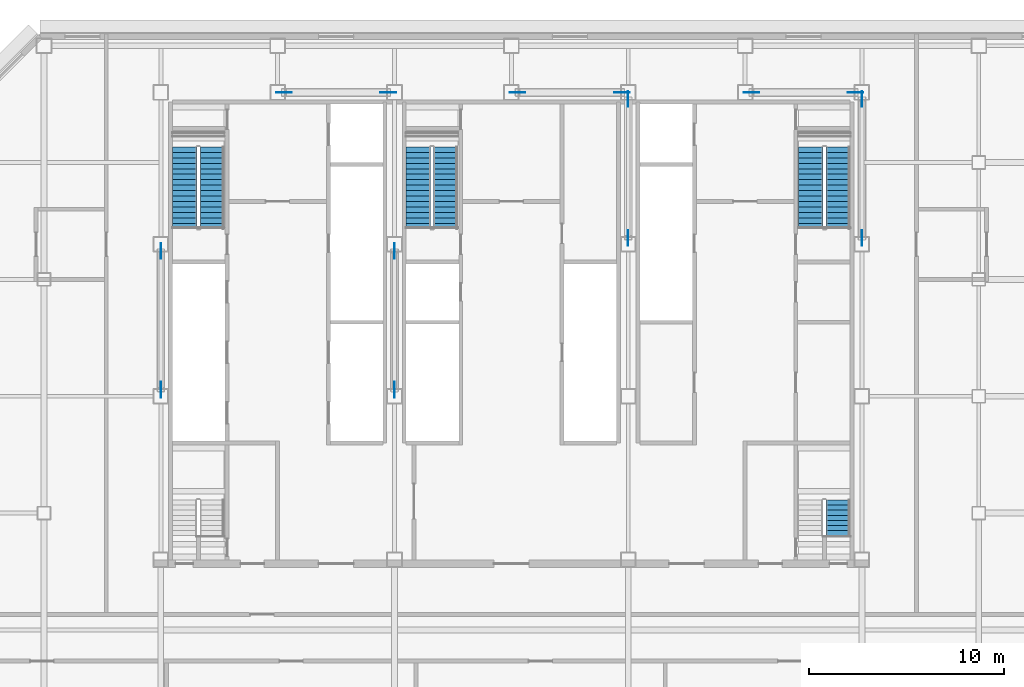
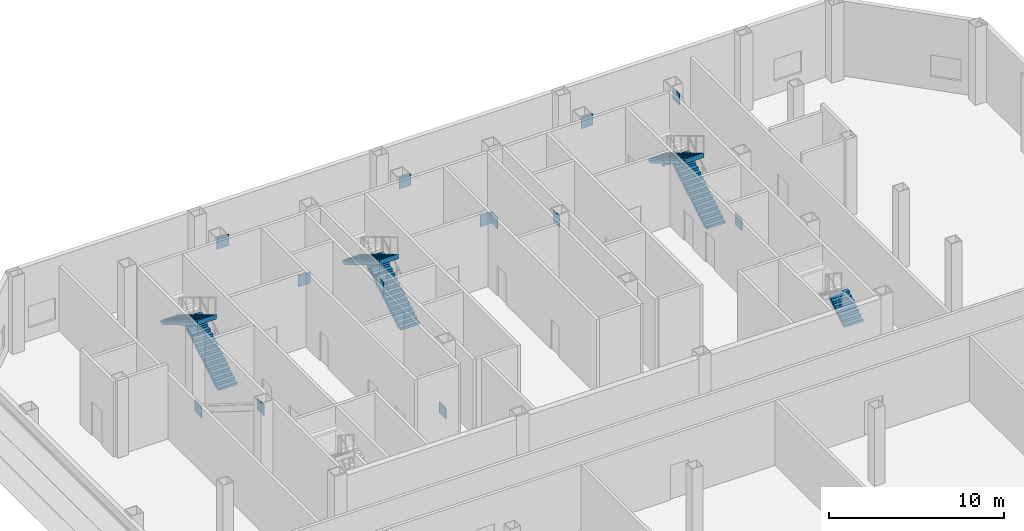
# One storey, part 8 of 10: 14 discrete accessories, 7 stair flights, 4 elements without a shape of their own.
"""IFC4 building model written with IfcOpenShell, lengths in metres."""

import ifcopenshell
import ifcopenshell.guid

model = None  # the IFC model being written
_history = None  # IfcOwnerHistory: only IFC2X3 demands one
_inside = {}  # id of a spatial element -> (the spatial element, [elements in it])
_under = {}  # id of a project, library or spatial element -> (it, [spatial elements below it])
_declared = {}  # id of a project -> (the project, [libraries it declares])
_typed = {}  # id of a type object -> (the type object, [elements of that type])
_made_of = {}  # id of a material, layer set ... -> (it, [elements and type objects made of it])


def new_model(schema):
    """Start an empty IFC model of exactly this schema.

    Asked for "IFC4X3", IfcOpenShell would pick the latest addendum, in which some entities
    have other attributes; the version numbers below select the first issue.
    IFC2X3 requires an IfcOwnerHistory on every rooted entity: one is made here for all.
    """
    global model, _history
    if schema == "IFC4X3":
        model = ifcopenshell.file(schema_version=(4, 3, 0, 0))
    else:
        model = ifcopenshell.file(schema=schema)
    _inside.clear()
    _under.clear()
    _declared.clear()
    _typed.clear()
    _made_of.clear()
    _history = None
    if model.schema == "IFC2X3":
        org = make("IfcOrganization", Name="unknown")
        user = make(
            "IfcPersonAndOrganization",
            ThePerson=make("IfcPerson", FamilyName="unknown"),
            TheOrganization=org,
        )
        app = make(
            "IfcApplication",
            ApplicationDeveloper=org,
            Version="unknown",
            ApplicationFullName="unknown",
            ApplicationIdentifier="unknown",
        )
        _history = make(
            "IfcOwnerHistory",
            OwningUser=user,
            OwningApplication=app,
            ChangeAction="ADDED",
            CreationDate=0,
        )
    return model


def make(cls, **values):
    """One entity of the class cls with the attributes given. An attribute that is None is left unset."""
    return model.create_entity(
        cls, **{name: value for name, value in values.items() if value is not None}
    )


def rooted(cls, **values):
    """An entity with a GlobalId (a new one), such as an element, a storey or a relation."""
    return make(cls, GlobalId=ifcopenshell.guid.new(), OwnerHistory=_history, **values)


def si_unit(unit_type, name, prefix=None):
    """IfcSIUnit, for example si_unit("LENGTHUNIT", "METRE", prefix="MILLI")."""
    return make("IfcSIUnit", UnitType=unit_type, Prefix=prefix, Name=name)


def assignment(units):
    """IfcUnitAssignment: the units of a project."""
    return None if units is None else make("IfcUnitAssignment", Units=units)


def point(xyz):
    """IfcCartesianPoint."""
    return None if xyz is None else make("IfcCartesianPoint", Coordinates=xyz)


def direction(xyz):
    """IfcDirection."""
    return None if xyz is None else make("IfcDirection", DirectionRatios=xyz)


def frame(location, z_axis=None, x_axis=None):
    """IfcAxis2Placement3D, a coordinate frame: its origin and axes. An axis left out is left unset."""
    return make(
        "IfcAxis2Placement3D",
        Location=point(location),
        Axis=direction(z_axis),
        RefDirection=direction(x_axis),
    )


def frame_2d(location, x_axis=None):
    """IfcAxis2Placement2D, a coordinate frame in the plane: its origin and x axis."""
    return make(
        "IfcAxis2Placement2D", Location=point(location), RefDirection=direction(x_axis)
    )


def origin():
    """The frame at (0, 0, 0) with its axes left unset."""
    return frame((0.0, 0.0, 0.0))


def origin_2d():
    """The frame at (0, 0) in the plane with its x axis left unset."""
    return frame_2d((0.0, 0.0))


def place(relative_to, where):
    """IfcLocalPlacement: puts the frame where relative to a parent placement (None: the world)."""
    return make(
        "IfcLocalPlacement", PlacementRelTo=relative_to, RelativePlacement=where
    )


def context(
    kind, dimensions, precision=None, world=None, true_north=None, identifier=None
):
    """IfcGeometricRepresentationContext, for example the 3D "Model" context."""
    return make(
        "IfcGeometricRepresentationContext",
        ContextIdentifier=identifier,
        ContextType=kind,
        CoordinateSpaceDimension=dimensions,
        Precision=precision,
        WorldCoordinateSystem=world,
        TrueNorth=true_north,
    )


def subcontext(parent, identifier, kind, view, scale=None):
    """IfcGeometricRepresentationSubContext, for example "Body" below "Model"."""
    return make(
        "IfcGeometricRepresentationSubContext",
        ContextIdentifier=identifier,
        ContextType=kind,
        ParentContext=parent,
        TargetScale=scale,
        TargetView=view,
    )


def project(units=None, contexts=None):
    """IfcProject with its units and contexts."""
    return rooted(
        "IfcProject",
        Name="project",
        RepresentationContexts=contexts,
        UnitsInContext=assignment(units),
    )


def spatial(cls, under=None, at=None, **own):
    """A site, building, storey or space (cls), placed at a placement, below another one or the project."""
    s = rooted(cls, ObjectPlacement=at, **own)
    if under is not None:
        _under.setdefault(under.id(), (under, []))[1].append(s)
    return s


def polyline(points):
    """IfcPolyline through the points."""
    return make("IfcPolyline", Points=[point(p) for p in points])


def profile(cls, at=None, kind="AREA", **sizes):
    """A parametric profile (cls). Its sizes go by their IFC names, for example OverallWidth=200.0."""
    return make(cls, ProfileType=kind, Position=at, **sizes)


def rectangle(**sizes):
    """IfcRectangleProfileDef."""
    return profile("IfcRectangleProfileDef", **sizes)


def outline(outer, holes=None, kind="AREA"):
    """IfcArbitraryClosedProfileDef: a profile drawn as a closed curve; with holes, ...WithVoids."""
    if holes is None:
        return make("IfcArbitraryClosedProfileDef", ProfileType=kind, OuterCurve=outer)
    return make(
        "IfcArbitraryProfileDefWithVoids",
        ProfileType=kind,
        OuterCurve=outer,
        InnerCurves=holes,
    )


def extrude(swept, where, along, depth):
    """IfcExtrudedAreaSolid: the profile swept, set in the frame where, extruded along a direction by depth."""
    return make(
        "IfcExtrudedAreaSolid",
        SweptArea=swept,
        Position=where,
        ExtrudedDirection=direction(along),
        Depth=depth,
    )


def shape(context_of_items, identifier, shape_type, items):
    """IfcShapeRepresentation: the items that make up one representation, for example the "Body"."""
    return make(
        "IfcShapeRepresentation",
        ContextOfItems=context_of_items,
        RepresentationIdentifier=identifier,
        RepresentationType=shape_type,
        Items=items,
    )


def material(Name=None, Category=None):
    """IfcMaterial."""
    return make("IfcMaterial", Name=Name, Category=Category)


def layer(
    of_material, thickness, ventilated=None, Name=None, Category=None, Priority=None
):
    """IfcMaterialLayer: one layer of a wall or slab, of a material (None: an air gap)."""
    return make(
        "IfcMaterialLayer",
        Material=of_material,
        LayerThickness=thickness,
        IsVentilated=ventilated,
        Name=Name,
        Category=Category,
        Priority=Priority,
    )


def layer_set(layers, Name=None):
    """IfcMaterialLayerSet."""
    return make("IfcMaterialLayerSet", MaterialLayers=layers, LayerSetName=Name)


def made_of(thing, what):
    """Note that an element or type object is made of a material, layer set ...; save() writes the relation."""
    if what is not None:
        _made_of.setdefault(what.id(), (what, []))[1].append(thing)
    return thing


def type_object(cls, material=None, **own):
    """A type object (cls), such as IfcWallType, which elements share."""
    return made_of(rooted(cls, **own), material)


def element(
    cls,
    number,
    at=None,
    inside=None,
    cuts=None,
    type_object=None,
    material=None,
    context=None,
    identifier="Body",
    shape_type=None,
    held_by="IfcProductDefinitionShape",
    body=None,
    shapes=None,
    **own,
):
    """One element of the class cls, such as IfcWall. Its Tag is "e" and its number.

    at: its placement. inside: the storey or other place that contains it. cuts: it is an
    opening in that element (IfcRelVoidsElement). A single representation is given by context,
    identifier, shape_type and body (its items); several are given by shapes. held_by: the class
    of the entity that holds the representations. save() writes the other relations.
    """
    e = rooted(cls, Tag="e%d" % number, ObjectPlacement=at, **own)
    if body is not None:
        shapes = [shape(context, identifier, shape_type, body)]
    if shapes is not None:
        e.Representation = make(held_by, Representations=shapes)
    if inside is not None:
        _inside.setdefault(inside.id(), (inside, []))[1].append(e)
    if cuts is not None:
        rooted(
            "IfcRelVoidsElement", RelatingBuildingElement=cuts, RelatedOpeningElement=e
        )
    if type_object is not None:
        _typed.setdefault(type_object.id(), (type_object, []))[1].append(e)
    return made_of(e, material)


def aggregate(whole, parts):
    """IfcRelAggregates: a whole, such as a stair, and the parts it consists of."""
    return rooted("IfcRelAggregates", RelatingObject=whole, RelatedObjects=parts)


def save(model, path):
    """Write the relations noted so far, then the file.

    IfcRelAggregates (storeys below a building ...), IfcRelContainedInSpatialStructure (elements
    in a storey), IfcRelDefinesByType, IfcRelAssociatesMaterial and IfcRelDeclares: one each for
    every whole, place, type object, material and project.
    """
    for whole, parts in _under.values():
        aggregate(whole, parts)
    for where, things in _inside.values():
        rooted(
            "IfcRelContainedInSpatialStructure",
            RelatedElements=things,
            RelatingStructure=where,
        )
    for kind, things in _typed.values():
        rooted("IfcRelDefinesByType", RelatedObjects=things, RelatingType=kind)
    for what, things in _made_of.values():
        rooted("IfcRelAssociatesMaterial", RelatedObjects=things, RelatingMaterial=what)
    for by, libraries in _declared.values():
        rooted("IfcRelDeclares", RelatingContext=by, RelatedDefinitions=libraries)
    model.write(path)


model = new_model("IFC4")

# Units and contexts
model_context = context("Model", 3, precision=1e-05, world=origin(), true_north=direction((0.0, 1.0)))
body_context = subcontext(model_context, "Body", "Model", "MODEL_VIEW")
ifc_project = project(units=[si_unit("LENGTHUNIT", "METRE"), si_unit("AREAUNIT", "SQUARE_METRE"), si_unit("VOLUMEUNIT", "CUBIC_METRE"), si_unit("PLANEANGLEUNIT", "RADIAN"), si_unit("MASSUNIT", "GRAM", prefix="KILO")], contexts=[model_context])

# Site, building, storey
site_placement = place(None, origin())
site = spatial("IfcSite", under=ifc_project, at=site_placement, CompositionType="ELEMENT")
building_placement = place(site_placement, origin())
building = spatial("IfcBuilding", under=site, at=building_placement, Name="Sorahane Residences", CompositionType="ELEMENT")
storey_placement = place(building_placement, frame((0.0, 0.0, 138.39990234375)))
storey = spatial("IfcBuildingStorey", under=building, at=storey_placement, Name="L31", CompositionType="ELEMENT", Elevation=138.39990234375)

# Stair, stair flights
ifc_material_1 = material(Name="Concrete C40", Category="concrete")
stair_type = type_object("IfcStairType", Name="Dog-leg stair 1250 Concrete C40", PredefinedType="HALF_TURN_STAIR", material=ifc_material_1)
stair_1_placement = place(storey_placement, origin())
stair_1 = element("IfcStair", 1, at=stair_1_placement, inside=storey, type_object=stair_type, Name="L31 Stair S1", PredefinedType="HALF_TURN_STAIR")
ifc_material_2 = material(Name="Concrete C40", Category="concrete")
stair_flight_type = type_object("IfcStairFlightType", Name="Stair flight 1250 Concrete C40", PredefinedType="STRAIGHT", material=ifc_material_2)
stair_flight_1_placement = place(storey_placement, frame((8.625, 38.60009765625, 0.0), z_axis=(0.0, 0.0, 1.0), x_axis=(0.0, 1.0, 0.0)))
stair_flight_1 = element("IfcStairFlight", 2, at=stair_flight_1_placement, type_object=stair_flight_type, Name="S1 flight 1", NumberOfRisers=16, NumberOfTreads=15, PredefinedType="STRAIGHT", RiserHeight=0.16875, TreadLength=0.28, context=body_context, shape_type="SweptSolid", body=[
    extrude(outline(polyline([(-0.00146484375, 0.0), (-0.00146484375, 0.168701171875), (0.0, 0.168701171875), (0.280029296875, 0.168701171875), (0.280029296875, 0.33740234375), (0.56005859375, 0.33740234375), (0.56005859375, 0.50634765625), (0.840087890625, 0.50634765625), (0.840087890625, 0.675048828125), (1.1201171875, 0.675048828125), (1.1201171875, 0.84375), (1.39990234375, 0.84375), (1.39990234375, 1.012451171875), (1.679931640625, 1.012451171875), (1.679931640625, 1.18115234375), (1.9599609375, 1.18115234375), (1.9599609375, 1.35009765625), (2.239990234375, 1.35009765625), (2.239990234375, 1.518798828125), (2.52001953125, 1.518798828125), (2.52001953125, 1.6875), (2.800048828125, 1.6875), (2.800048828125, 1.856201171875), (3.080078125, 1.856201171875), (3.080078125, 2.02490234375), (3.360107421875, 2.02490234375), (3.360107421875, 2.19384765625), (3.639892578125, 2.19384765625), (3.639892578125, 2.362548828125), (3.919921875, 2.362548828125), (3.919921875, 2.53125), (4.199951171875, 2.53125), (4.199951171875, 2.699951171875), (4.199951171875, 2.356201171875), (3.969970703125, 2.217529296875), (3.739990234375, 2.0791015625), (3.510009765625, 1.9404296875), (3.280029296875, 1.8017578125), (3.050048828125, 1.663330078125), (2.820068359375, 1.524658203125), (2.590087890625, 1.385986328125), (2.360107421875, 1.247314453125), (2.130126953125, 1.10888671875), (1.900146484375, 0.97021484375), (1.670166015625, 0.83154296875), (1.440185546875, 0.693115234375), (1.210205078125, 0.554443359375), (0.980224609375, 0.415771484375), (0.750244140625, 0.277099609375), (0.520263671875, 0.138671875), (0.29052734375, 0.0), (-0.00146484375, 0.0)])), frame((0.0, 0.625, 0.0), z_axis=(0.0, -1.0, 0.0), x_axis=(1.0, 0.0, 0.0)), (0.0, 0.0, 1.0), 1.25),
])
stair_flight_2_placement = place(storey_placement, frame((7.22509765625, 42.800048828125, 2.7001953125), z_axis=(0.0, 0.0, 1.0), x_axis=(0.0, -1.0, 0.0)))
stair_flight_2 = element("IfcStairFlight", 3, at=stair_flight_2_placement, type_object=stair_flight_type, Name="S1 flight 2", NumberOfRisers=16, NumberOfTreads=15, PredefinedType="STRAIGHT", RiserHeight=0.16875, TreadLength=0.28, context=body_context, shape_type="SweptSolid", body=[
    extrude(outline(polyline([(0.0, 0.0), (0.0, 0.168701171875), (0.280029296875, 0.168701171875), (0.280029296875, 0.33740234375), (0.56005859375, 0.33740234375), (0.56005859375, 0.50634765625), (0.840087890625, 0.50634765625), (0.840087890625, 0.675048828125), (1.1201171875, 0.675048828125), (1.1201171875, 0.84375), (1.39990234375, 0.84375), (1.39990234375, 1.012451171875), (1.679931640625, 1.012451171875), (1.679931640625, 1.18115234375), (1.9599609375, 1.18115234375), (1.9599609375, 1.35009765625), (2.239990234375, 1.35009765625), (2.239990234375, 1.518798828125), (2.52001953125, 1.518798828125), (2.52001953125, 1.6875), (2.800048828125, 1.6875), (2.800048828125, 1.856201171875), (3.080078125, 1.856201171875), (3.080078125, 2.02490234375), (3.360107421875, 2.02490234375), (3.360107421875, 2.19384765625), (3.639892578125, 2.19384765625), (3.639892578125, 2.362548828125), (3.919921875, 2.362548828125), (3.919921875, 2.53125), (4.199951171875, 2.53125), (4.199951171875, 2.699951171875), (4.201416015625, 2.699951171875), (4.201416015625, 2.356201171875), (3.971435546875, 2.217529296875), (3.741455078125, 2.0791015625), (3.51123046875, 1.9404296875), (3.28125, 1.8017578125), (3.05126953125, 1.663330078125), (2.821044921875, 1.524658203125), (2.591064453125, 1.385986328125), (2.361083984375, 1.247314453125), (2.130859375, 1.10888671875), (1.90087890625, 0.97021484375), (1.6708984375, 0.83154296875), (1.440673828125, 0.693115234375), (1.210693359375, 0.554443359375), (0.980712890625, 0.415771484375), (0.75048828125, 0.277099609375), (0.5205078125, 0.138671875), (0.29052734375, 0.0), (0.0, 0.0)])), frame((0.0, 0.625, 0.0), z_axis=(0.0, -1.0, 0.0), x_axis=(1.0, 0.0, 0.0)), (0.0, 0.0, 1.0), 1.25),
])
aggregate(stair_1, [stair_flight_1, stair_flight_2])

stair_2_placement = place(storey_placement, origin())
stair_2 = element("IfcStair", 4, at=stair_2_placement, inside=storey, type_object=stair_type, Name="L31 Stair S2", PredefinedType="HALF_TURN_STAIR")
stair_flight_3_placement = place(storey_placement, frame((40.77490234375, 38.60009765625, 0.0), z_axis=(0.0, 0.0, 1.0), x_axis=(0.0, 1.0, 0.0)))
stair_flight_3 = element("IfcStairFlight", 5, at=stair_flight_3_placement, type_object=stair_flight_type, Name="S2 flight 1", NumberOfRisers=16, NumberOfTreads=15, PredefinedType="STRAIGHT", RiserHeight=0.16875, TreadLength=0.28, context=body_context, shape_type="SweptSolid", body=[
    extrude(outline(polyline([(-0.00146484375, 0.0), (-0.00146484375, 0.168701171875), (0.0, 0.168701171875), (0.280029296875, 0.168701171875), (0.280029296875, 0.33740234375), (0.56005859375, 0.33740234375), (0.56005859375, 0.50634765625), (0.840087890625, 0.50634765625), (0.840087890625, 0.675048828125), (1.1201171875, 0.675048828125), (1.1201171875, 0.84375), (1.39990234375, 0.84375), (1.39990234375, 1.012451171875), (1.679931640625, 1.012451171875), (1.679931640625, 1.18115234375), (1.9599609375, 1.18115234375), (1.9599609375, 1.35009765625), (2.239990234375, 1.35009765625), (2.239990234375, 1.518798828125), (2.52001953125, 1.518798828125), (2.52001953125, 1.6875), (2.800048828125, 1.6875), (2.800048828125, 1.856201171875), (3.080078125, 1.856201171875), (3.080078125, 2.02490234375), (3.360107421875, 2.02490234375), (3.360107421875, 2.19384765625), (3.639892578125, 2.19384765625), (3.639892578125, 2.362548828125), (3.919921875, 2.362548828125), (3.919921875, 2.53125), (4.199951171875, 2.53125), (4.199951171875, 2.699951171875), (4.199951171875, 2.356201171875), (3.969970703125, 2.217529296875), (3.739990234375, 2.0791015625), (3.510009765625, 1.9404296875), (3.280029296875, 1.8017578125), (3.050048828125, 1.663330078125), (2.820068359375, 1.524658203125), (2.590087890625, 1.385986328125), (2.360107421875, 1.247314453125), (2.130126953125, 1.10888671875), (1.900146484375, 0.97021484375), (1.670166015625, 0.83154296875), (1.440185546875, 0.693115234375), (1.210205078125, 0.554443359375), (0.980224609375, 0.415771484375), (0.750244140625, 0.277099609375), (0.520263671875, 0.138671875), (0.29052734375, 0.0), (-0.00146484375, 0.0)])), frame((0.0, 0.625, 0.0), z_axis=(0.0, -1.0, 0.0), x_axis=(1.0, 0.0, 0.0)), (0.0, 0.0, 1.0), 1.25),
])
stair_flight_4_placement = place(storey_placement, frame((39.375, 42.800048828125, 2.7001953125), z_axis=(0.0, 0.0, 1.0), x_axis=(0.0, -1.0, 0.0)))
stair_flight_4 = element("IfcStairFlight", 6, at=stair_flight_4_placement, type_object=stair_flight_type, Name="S2 flight 2", NumberOfRisers=16, NumberOfTreads=15, PredefinedType="STRAIGHT", RiserHeight=0.16875, TreadLength=0.28, context=body_context, shape_type="SweptSolid", body=[
    extrude(outline(polyline([(0.0, 0.0), (0.0, 0.168701171875), (0.280029296875, 0.168701171875), (0.280029296875, 0.33740234375), (0.56005859375, 0.33740234375), (0.56005859375, 0.50634765625), (0.840087890625, 0.50634765625), (0.840087890625, 0.675048828125), (1.1201171875, 0.675048828125), (1.1201171875, 0.84375), (1.39990234375, 0.84375), (1.39990234375, 1.012451171875), (1.679931640625, 1.012451171875), (1.679931640625, 1.18115234375), (1.9599609375, 1.18115234375), (1.9599609375, 1.35009765625), (2.239990234375, 1.35009765625), (2.239990234375, 1.518798828125), (2.52001953125, 1.518798828125), (2.52001953125, 1.6875), (2.800048828125, 1.6875), (2.800048828125, 1.856201171875), (3.080078125, 1.856201171875), (3.080078125, 2.02490234375), (3.360107421875, 2.02490234375), (3.360107421875, 2.19384765625), (3.639892578125, 2.19384765625), (3.639892578125, 2.362548828125), (3.919921875, 2.362548828125), (3.919921875, 2.53125), (4.199951171875, 2.53125), (4.199951171875, 2.699951171875), (4.201416015625, 2.699951171875), (4.201416015625, 2.356201171875), (3.971435546875, 2.217529296875), (3.741455078125, 2.0791015625), (3.51123046875, 1.9404296875), (3.28125, 1.8017578125), (3.05126953125, 1.663330078125), (2.821044921875, 1.524658203125), (2.591064453125, 1.385986328125), (2.361083984375, 1.247314453125), (2.130859375, 1.10888671875), (1.90087890625, 0.97021484375), (1.6708984375, 0.83154296875), (1.440673828125, 0.693115234375), (1.210693359375, 0.554443359375), (0.980712890625, 0.415771484375), (0.75048828125, 0.277099609375), (0.5205078125, 0.138671875), (0.29052734375, 0.0), (0.0, 0.0)])), frame((0.0, 0.625, 0.0), z_axis=(0.0, -1.0, 0.0), x_axis=(1.0, 0.0, 0.0)), (0.0, 0.0, 1.0), 1.25),
])
aggregate(stair_2, [stair_flight_3, stair_flight_4])

stair_3_placement = place(storey_placement, origin())
stair_3 = element("IfcStair", 7, at=stair_3_placement, inside=storey, type_object=stair_type, Name="L31 Stair S3", PredefinedType="HALF_TURN_STAIR")
stair_flight_5_placement = place(storey_placement, frame((20.625, 38.60009765625, 0.0), z_axis=(0.0, 0.0, 1.0), x_axis=(0.0, 1.0, 0.0)))
stair_flight_5 = element("IfcStairFlight", 8, at=stair_flight_5_placement, type_object=stair_flight_type, Name="S3 flight 1", NumberOfRisers=16, NumberOfTreads=15, PredefinedType="STRAIGHT", RiserHeight=0.16875, TreadLength=0.28, context=body_context, shape_type="SweptSolid", body=[
    extrude(outline(polyline([(-0.00146484375, 0.0), (-0.00146484375, 0.168701171875), (0.0, 0.168701171875), (0.280029296875, 0.168701171875), (0.280029296875, 0.33740234375), (0.56005859375, 0.33740234375), (0.56005859375, 0.50634765625), (0.840087890625, 0.50634765625), (0.840087890625, 0.675048828125), (1.1201171875, 0.675048828125), (1.1201171875, 0.84375), (1.39990234375, 0.84375), (1.39990234375, 1.012451171875), (1.679931640625, 1.012451171875), (1.679931640625, 1.18115234375), (1.9599609375, 1.18115234375), (1.9599609375, 1.35009765625), (2.239990234375, 1.35009765625), (2.239990234375, 1.518798828125), (2.52001953125, 1.518798828125), (2.52001953125, 1.6875), (2.800048828125, 1.6875), (2.800048828125, 1.856201171875), (3.080078125, 1.856201171875), (3.080078125, 2.02490234375), (3.360107421875, 2.02490234375), (3.360107421875, 2.19384765625), (3.639892578125, 2.19384765625), (3.639892578125, 2.362548828125), (3.919921875, 2.362548828125), (3.919921875, 2.53125), (4.199951171875, 2.53125), (4.199951171875, 2.699951171875), (4.199951171875, 2.356201171875), (3.969970703125, 2.217529296875), (3.739990234375, 2.0791015625), (3.510009765625, 1.9404296875), (3.280029296875, 1.8017578125), (3.050048828125, 1.663330078125), (2.820068359375, 1.524658203125), (2.590087890625, 1.385986328125), (2.360107421875, 1.247314453125), (2.130126953125, 1.10888671875), (1.900146484375, 0.97021484375), (1.670166015625, 0.83154296875), (1.440185546875, 0.693115234375), (1.210205078125, 0.554443359375), (0.980224609375, 0.415771484375), (0.750244140625, 0.277099609375), (0.520263671875, 0.138671875), (0.29052734375, 0.0), (-0.00146484375, 0.0)])), frame((0.0, 0.625, 0.0), z_axis=(0.0, -1.0, 0.0), x_axis=(1.0, 0.0, 0.0)), (0.0, 0.0, 1.0), 1.25),
])
stair_flight_6_placement = place(storey_placement, frame((19.22509765625, 42.800048828125, 2.7001953125), z_axis=(0.0, 0.0, 1.0), x_axis=(0.0, -1.0, 0.0)))
stair_flight_6 = element("IfcStairFlight", 9, at=stair_flight_6_placement, type_object=stair_flight_type, Name="S3 flight 2", NumberOfRisers=16, NumberOfTreads=15, PredefinedType="STRAIGHT", RiserHeight=0.16875, TreadLength=0.28, context=body_context, shape_type="SweptSolid", body=[
    extrude(outline(polyline([(0.0, 0.0), (0.0, 0.168701171875), (0.280029296875, 0.168701171875), (0.280029296875, 0.33740234375), (0.56005859375, 0.33740234375), (0.56005859375, 0.50634765625), (0.840087890625, 0.50634765625), (0.840087890625, 0.675048828125), (1.1201171875, 0.675048828125), (1.1201171875, 0.84375), (1.39990234375, 0.84375), (1.39990234375, 1.012451171875), (1.679931640625, 1.012451171875), (1.679931640625, 1.18115234375), (1.9599609375, 1.18115234375), (1.9599609375, 1.35009765625), (2.239990234375, 1.35009765625), (2.239990234375, 1.518798828125), (2.52001953125, 1.518798828125), (2.52001953125, 1.6875), (2.800048828125, 1.6875), (2.800048828125, 1.856201171875), (3.080078125, 1.856201171875), (3.080078125, 2.02490234375), (3.360107421875, 2.02490234375), (3.360107421875, 2.19384765625), (3.639892578125, 2.19384765625), (3.639892578125, 2.362548828125), (3.919921875, 2.362548828125), (3.919921875, 2.53125), (4.199951171875, 2.53125), (4.199951171875, 2.699951171875), (4.201416015625, 2.699951171875), (4.201416015625, 2.356201171875), (3.971435546875, 2.217529296875), (3.741455078125, 2.0791015625), (3.51123046875, 1.9404296875), (3.28125, 1.8017578125), (3.05126953125, 1.663330078125), (2.821044921875, 1.524658203125), (2.591064453125, 1.385986328125), (2.361083984375, 1.247314453125), (2.130859375, 1.10888671875), (1.90087890625, 0.97021484375), (1.6708984375, 0.83154296875), (1.440673828125, 0.693115234375), (1.210693359375, 0.554443359375), (0.980712890625, 0.415771484375), (0.75048828125, 0.277099609375), (0.5205078125, 0.138671875), (0.29052734375, 0.0), (0.0, 0.0)])), frame((0.0, 0.625, 0.0), z_axis=(0.0, -1.0, 0.0), x_axis=(1.0, 0.0, 0.0)), (0.0, 0.0, 1.0), 1.25),
])
aggregate(stair_3, [stair_flight_5, stair_flight_6])

# Stair, stair flight
stair_4_placement = place(storey_placement, origin())
stair_4 = element("IfcStair", 10, at=stair_4_placement, inside=storey, type_object=stair_type, Name="L31 Stair S5", PredefinedType="HALF_TURN_STAIR")
stair_flight_7_placement = place(storey_placement, frame((40.77490234375, 22.85009765625, 2.7001953125), z_axis=(0.0, 0.0, 1.0), x_axis=(0.0, 1.0, 0.0)))
stair_flight_7 = element("IfcStairFlight", 11, at=stair_flight_7_placement, type_object=stair_flight_type, Name="S5 flight 3", NumberOfRisers=8, NumberOfTreads=7, PredefinedType="STRAIGHT", RiserHeight=0.16875, TreadLength=0.26, context=body_context, shape_type="SweptSolid", body=[
    extrude(outline(polyline([(0.0, 0.0), (0.0, 0.002197265625), (0.0, 0.004150390625), (0.0, 0.00634765625), (0.0, 0.00830078125), (0.0, 0.010498046875), (0.0, 0.012451171875), (0.0, 0.0146484375), (0.0, 0.0166015625), (0.0, 0.018798828125), (0.0, 0.020751953125), (0.0, 0.02294921875), (0.0, 0.02490234375), (0.0, 0.027099609375), (0.0, 0.029052734375), (0.0, 0.03125), (0.0, 0.033447265625), (0.0, 0.035400390625), (0.0, 0.03759765625), (0.0, 0.03955078125), (0.0, 0.041748046875), (0.0, 0.043701171875), (0.0, 0.0458984375), (0.0, 0.0478515625), (0.0, 0.050048828125), (0.0, 0.052001953125), (0.0, 0.05419921875), (0.0, 0.05615234375), (0.0, 0.058349609375), (0.0, 0.060302734375), (0.0, 0.0625), (0.0, 0.064697265625), (0.0, 0.066650390625), (0.0, 0.06884765625), (0.0, 0.07080078125), (0.0, 0.072998046875), (0.0, 0.074951171875), (0.0, 0.0771484375), (0.0, 0.0791015625), (0.0, 0.081298828125), (0.0, 0.083251953125), (0.0, 0.08544921875), (0.0, 0.08740234375), (0.0, 0.089599609375), (0.0, 0.091552734375), (0.0, 0.09375), (0.0, 0.095947265625), (0.0, 0.097900390625), (0.0, 0.10009765625), (0.0, 0.10205078125), (0.0, 0.104248046875), (0.0, 0.106201171875), (0.0, 0.1083984375), (0.0, 0.1103515625), (0.0, 0.112548828125), (0.0, 0.114501953125), (0.0, 0.11669921875), (0.0, 0.11865234375), (0.0, 0.120849609375), (0.0, 0.122802734375), (0.0, 0.125), (0.0, 0.127197265625), (0.0, 0.129150390625), (0.0, 0.13134765625), (0.0, 0.13330078125), (0.0, 0.135498046875), (0.0, 0.137451171875), (0.0, 0.1396484375), (0.0, 0.1416015625), (0.0, 0.143798828125), (0.0, 0.145751953125), (0.0, 0.14794921875), (0.0, 0.14990234375), (0.0, 0.152099609375), (0.0, 0.154052734375), (0.0, 0.15625), (0.0, 0.158447265625), (0.0, 0.160400390625), (0.0, 0.16259765625), (0.0, 0.16455078125), (0.0, 0.166748046875), (0.0, 0.168701171875), (0.260009765625, 0.168701171875), (0.260009765625, 0.33740234375), (0.52001953125, 0.33740234375), (0.52001953125, 0.50634765625), (0.780029296875, 0.50634765625), (0.780029296875, 0.675048828125), (1.0400390625, 0.675048828125), (1.0400390625, 0.84375), (1.300048828125, 0.84375), (1.300048828125, 1.012451171875), (1.56005859375, 1.012451171875), (1.56005859375, 1.18115234375), (1.820068359375, 1.18115234375), (1.820068359375, 1.35009765625), (1.820068359375, 1.34619140625), (1.820068359375, 1.34228515625), (1.820068359375, 1.33837890625), (1.820068359375, 1.334716796875), (1.820068359375, 1.330810546875), (1.820068359375, 1.326904296875), (1.820068359375, 1.322998046875), (1.820068359375, 1.319091796875), (1.820068359375, 1.3154296875), (1.820068359375, 1.3115234375), (1.820068359375, 1.3076171875), (1.820068359375, 1.3037109375), (1.820068359375, 1.300048828125), (1.820068359375, 1.296142578125), (1.820068359375, 1.292236328125), (1.820068359375, 1.288330078125), (1.820068359375, 1.284423828125), (1.820068359375, 1.28076171875), (1.820068359375, 1.27685546875), (1.820068359375, 1.27294921875), (1.820068359375, 1.26904296875), (1.820068359375, 1.265380859375), (1.820068359375, 1.261474609375), (1.820068359375, 1.257568359375), (1.820068359375, 1.253662109375), (1.820068359375, 1.249755859375), (1.820068359375, 1.24609375), (1.820068359375, 1.2421875), (1.820068359375, 1.23828125), (1.820068359375, 1.234375), (1.820068359375, 1.230712890625), (1.820068359375, 1.226806640625), (1.820068359375, 1.222900390625), (1.820068359375, 1.218994140625), (1.820068359375, 1.215087890625), (1.820068359375, 1.21142578125), (1.820068359375, 1.20751953125), (1.820068359375, 1.20361328125), (1.820068359375, 1.19970703125), (1.820068359375, 1.196044921875), (1.820068359375, 1.192138671875), (1.820068359375, 1.188232421875), (1.820068359375, 1.184326171875), (1.820068359375, 1.1806640625), (1.820068359375, 1.1767578125), (1.820068359375, 1.1728515625), (1.820068359375, 1.1689453125), (1.820068359375, 1.1650390625), (1.820068359375, 1.161376953125), (1.820068359375, 1.157470703125), (1.820068359375, 1.153564453125), (1.820068359375, 1.149658203125), (1.820068359375, 1.14599609375), (1.820068359375, 1.14208984375), (1.820068359375, 1.13818359375), (1.820068359375, 1.13427734375), (1.820068359375, 1.13037109375), (1.820068359375, 1.126708984375), (1.820068359375, 1.122802734375), (1.820068359375, 1.118896484375), (1.820068359375, 1.114990234375), (1.820068359375, 1.111328125), (1.820068359375, 1.107421875), (1.820068359375, 1.103515625), (1.820068359375, 1.099609375), (1.820068359375, 1.095703125), (1.820068359375, 1.092041015625), (1.820068359375, 1.088134765625), (1.820068359375, 1.084228515625), (1.820068359375, 1.080322265625), (1.820068359375, 1.07666015625), (1.820068359375, 1.07275390625), (1.820068359375, 1.06884765625), (1.820068359375, 1.06494140625), (1.820068359375, 1.061279296875), (1.820068359375, 1.057373046875), (1.820068359375, 1.053466796875), (1.820068359375, 1.049560546875), (1.820068359375, 1.045654296875), (1.820068359375, 1.0419921875), (1.820068359375, 1.0380859375), (1.6201171875, 0.908203125), (1.420166015625, 0.778564453125), (1.22021484375, 0.648681640625), (1.020263671875, 0.51904296875), (0.8203125, 0.38916015625), (0.620361328125, 0.259521484375), (0.420654296875, 0.129638671875), (0.220703125, 0.0), (0.0, 0.0)])), frame((0.0, 0.625, 0.0), z_axis=(0.0, -1.0, 0.0), x_axis=(1.0, 0.0, 0.0)), (0.0, 0.0, 1.0), 1.25),
])
aggregate(stair_4, [stair_flight_7])

# Discrete accessories
ifc_material_3 = material(Name="Steel Q355B", Category="steel")
ifc_layer = layer(ifc_material_3, 0.02490234375)
ifc_layer_set = layer_set([ifc_layer], Name="Node plate Steel Q355B 25")
discrete_accessory_type = type_object("IfcDiscreteAccessoryType", Name="Node plate Steel Q355B 25", PredefinedType="BRACKET", material=ifc_layer_set)
for number, where, z_axis, x_axis, name in (
    (12, (6.0, 37.46337890625, -0.23974609375), (0.0, 0.0, 1.0), (0.0, 1.0, 0.0), "Node plate L31 br"),
    (13, (6.0, 30.33642578125, 4.2099609375), (0.0, 0.0, 1.0), (0.0, 1.0, 0.0), "Node plate L31 br"),
    (14, (18.0, 30.33642578125, -0.23974609375), (0.0, 0.0, 1.0), (0.0, 1.0, 0.0), "Node plate L31 br"),
    (15, (18.0, 37.46337890625, 4.2099609375), (0.0, 0.0, 1.0), (0.0, 1.0, 0.0), "Node plate L31 br"),
    (16, (30.0, 45.263427734375, -0.23974609375), (0.0, 0.0, 1.0), (0.0, 1.0, 0.0), "Node plate L31 br"),
    (17, (30.0, 38.136474609375, 4.2099609375), (0.0, 0.0, 1.0), (0.0, 1.0, 0.0), "Node plate L31 br"),
    (18, (42.0, 38.136474609375, -0.23974609375), (0.0, 0.0, 1.0), (0.0, 1.0, 0.0), "Node plate L31 br"),
    (19, (42.0, 45.263427734375, 4.2099609375), (0.0, 0.0, 1.0), (0.0, 1.0, 0.0), "Node plate L31 br"),
    (20, (17.67724609375, 45.60009765625, -0.2646484375), (0.0, 0.0, 1.0), (1.0, 0.0, 0.0), "Node plate L31 br"),
    (21, (29.67724609375, 45.60009765625, -0.2646484375), (0.0, 0.0, 1.0), (1.0, 0.0, 0.0), "Node plate L31 br"),
    (22, (41.67724609375, 45.60009765625, -0.2646484375), (0.0, 0.0, 1.0), (1.0, 0.0, 0.0), "Node plate L31 br"),
    (23, (12.32275390625, 45.60009765625, 4.23486328125), (0.0, 0.0, 1.0), (1.0, 0.0, 0.0), "Node plate L31 br"),
    (24, (24.32275390625, 45.60009765625, 4.23486328125), (0.0, 0.0, 1.0), (1.0, 0.0, 0.0), "Node plate L31 br"),
    (25, (36.32275390625, 45.60009765625, 4.23486328125), (0.0, 0.0, 1.0), (1.0, 0.0, 0.0), "Node plate L31 br"),
):
    element("IfcDiscreteAccessory", number, at=place(storey_placement, frame(where, z_axis=z_axis, x_axis=x_axis)), inside=storey, type_object=discrete_accessory_type, Name=name, PredefinedType="BRACKET", context=body_context, shape_type="SweptSolid", body=[
        extrude(rectangle(XDim=0.800048828125, YDim=0.02490234375, at=origin_2d()), origin(), (0.0, 0.0, 1.0), 0.800048828125),
    ])

save(model, "model.ifc")
